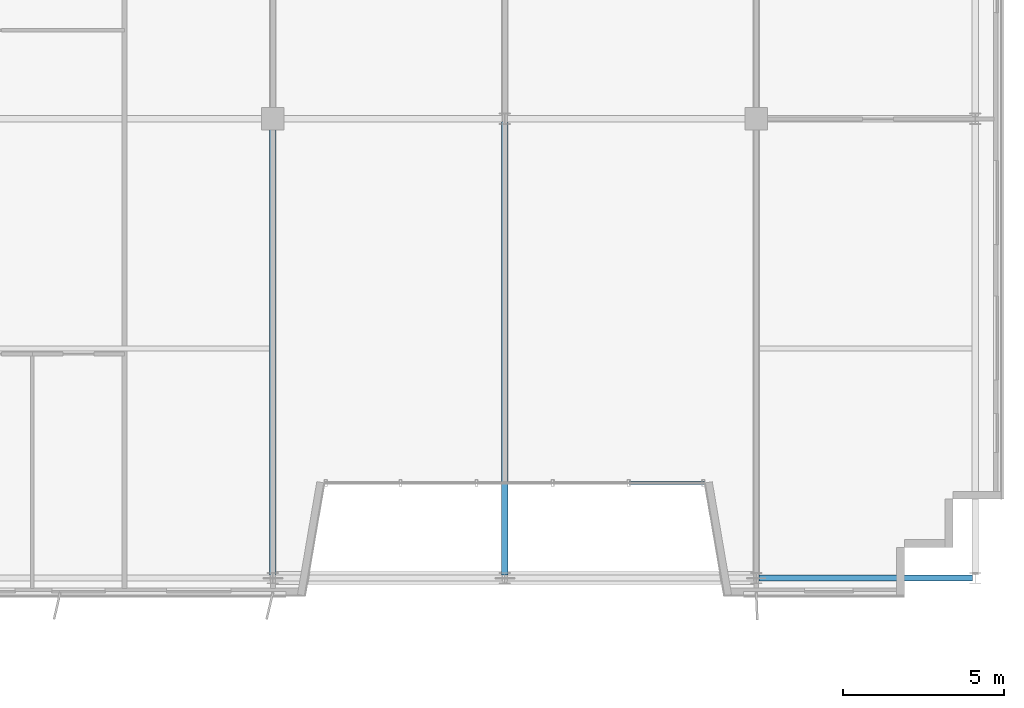
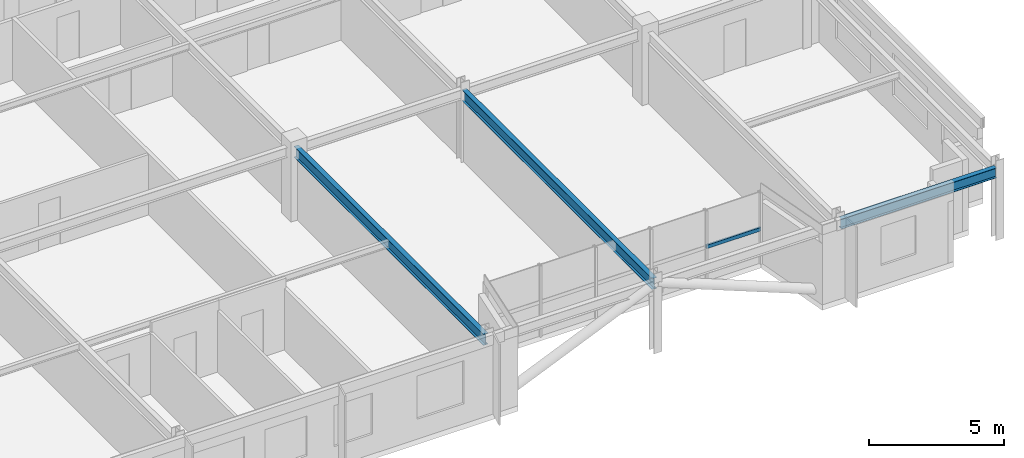
# One storey, part 7 of 27: 3 beams, 1 member, 1 element without a shape of its own.
"""IFC4 building model written with IfcOpenShell, lengths in metres."""

from ifc_helpers import new_model, si_unit, direction, frame, origin, origin_2d, place, context, subcontext, project, spatial, hollow_rectangle, i_section, extrude, source, transform, mapped, material, material_profile, profile_set, type_object, element, aggregate, save


model = new_model("IFC4")

# Units and contexts
model_context = context("Model", 3, precision=1e-05, world=origin(), true_north=direction((0.0, 1.0)))
body_context = subcontext(model_context, "Body", "Model", "MODEL_VIEW")
ifc_project = project(units=[si_unit("LENGTHUNIT", "METRE"), si_unit("AREAUNIT", "SQUARE_METRE"), si_unit("VOLUMEUNIT", "CUBIC_METRE"), si_unit("PLANEANGLEUNIT", "RADIAN"), si_unit("MASSUNIT", "GRAM", prefix="KILO")], contexts=[model_context])

# Site, building, storey
site_placement = place(None, origin())
site = spatial("IfcSite", under=ifc_project, at=site_placement, CompositionType="ELEMENT")
building_placement = place(site_placement, origin())
building = spatial("IfcBuilding", under=site, at=building_placement, Name="Trelvane Seafront Commons", CompositionType="ELEMENT")
storey_placement = place(building_placement, frame((0.0, 0.0, 237.300048828125)))
storey = spatial("IfcBuildingStorey", under=building, at=storey_placement, Name="L62", CompositionType="ELEMENT", Elevation=237.300048828125)

# Beams
ifc_material_1 = material(Name="Steel SM355 (S355)", Category="steel")
ifc_material_profile_1 = material_profile(ifc_material_1, i_section(OverallWidth=0.199951171875, OverallDepth=0.449951171875, WebThickness=0.009033203125, FlangeThickness=0.013916015625, at=origin_2d()), Name="H-450x200x9x14")
ifc_profile_set_1 = profile_set([ifc_material_profile_1], Name="Steel SM355 (S355)")
beam_type_1 = type_object("IfcBeamType", Name="STR-SPD-H450", PredefinedType="SPANDREL", material=ifc_profile_set_1)
shared_shape_1 = source(origin(), body_context, "Body", "SweptSolid", [
    extrude(i_section(OverallWidth=0.199951171875, OverallDepth=0.449951171875, WebThickness=0.009033203125, FlangeThickness=0.013916015625, at=origin_2d()), origin(), (0.0, 0.0, 1.0), 6.625),
])
beam_1_placement = place(storey_placement, frame((58.887451171875, 3.949951171875, 2.994873046875), z_axis=(1.0, 0.0, 0.0), x_axis=(0.0, 1.0, 0.0)))
element("IfcBeam", 1, at=beam_1_placement, inside=storey, type_object=beam_type_1, Name="L62 Primary Girder G-07", PredefinedType="SPANDREL", context=body_context, shape_type="MappedRepresentation", body=[
    mapped(shared_shape_1, transform((0.0, 0.0, 0.0), x_axis=(1.0, 0.0, 0.0), y_axis=(0.0, 1.0, 0.0), z_axis=(0.0, 0.0, 1.0), scale=1.0)),
])
ifc_material_profile_2 = material_profile(ifc_material_1, i_section(OverallWidth=0.199951171875, OverallDepth=0.5, WebThickness=0.010009765625, FlangeThickness=0.01611328125, at=origin_2d()), Name="H-500x200x10x16")
ifc_profile_set_2 = profile_set([ifc_material_profile_2], Name="Steel SM355 (S355)")
beam_type_2 = type_object("IfcBeamType", Name="STR-BM-H500", PredefinedType="BEAM", material=ifc_profile_set_2)
shared_shape_2 = source(origin(), body_context, "Body", "SweptSolid", [
    extrude(i_section(OverallWidth=0.199951171875, OverallDepth=0.5, WebThickness=0.010009765625, FlangeThickness=0.01611328125, at=origin_2d()), origin(), (0.0, 0.0, 1.0), 14.074951171875),
])
beam_2_placement = place(storey_placement, frame((51.0, 4.03759765625, 2.969970703125), z_axis=(0.0, 1.0, 0.0), x_axis=(-1.0, 0.0, 0.0)))
element("IfcBeam", 2, at=beam_2_placement, inside=storey, type_object=beam_type_2, Name="L62 Primary Girder G-44", PredefinedType="BEAM", context=body_context, shape_type="MappedRepresentation", body=[
    mapped(shared_shape_2, transform((0.0, 0.0, 0.0), x_axis=(1.0, 0.0, 0.0), y_axis=(0.0, 1.0, 0.0), z_axis=(0.0, 0.0, 1.0), scale=1.0)),
])
shared_shape_3 = source(origin(), body_context, "Body", "SweptSolid", [
    extrude(i_section(OverallWidth=0.199951171875, OverallDepth=0.5, WebThickness=0.010009765625, FlangeThickness=0.01611328125, at=origin_2d()), origin(), (0.0, 0.0, 1.0), 14.012451171875),
])
beam_3_placement = place(storey_placement, frame((43.800048828125, 4.03759765625, 2.969970703125), z_axis=(0.0, 1.0, 0.0), x_axis=(-1.0, 0.0, 0.0)))
element("IfcBeam", 3, at=beam_3_placement, inside=storey, type_object=beam_type_2, Name="L62 Primary Girder G-41", PredefinedType="BEAM", context=body_context, shape_type="MappedRepresentation", body=[
    mapped(shared_shape_3, transform((0.0, 0.0, 0.0), x_axis=(1.0, 0.0, 0.0), y_axis=(0.0, 1.0, 0.0), z_axis=(0.0, 0.0, 1.0), scale=1.0)),
])

# Curtain wall, member
ifc_material_2 = material(Name="Anodised pale-silver aluminium", Category="aluminium")
curtain_wall_type = type_object("IfcCurtainWallType", Name="ARCH-CW3-PORTAL", PredefinedType="NOTDEFINED", material=ifc_material_2)
curtain_wall_placement = place(storey_placement, origin())
curtain_wall = element("IfcCurtainWall", 4, at=curtain_wall_placement, inside=storey, type_object=curtain_wall_type, Name="CW-L62-VN-0107", PredefinedType="NOTDEFINED")
ifc_material_profile_3 = material_profile(ifc_material_2, hollow_rectangle(XDim=0.080078125, YDim=0.159912109375, WallThickness=0.00439453125, at=origin_2d()), Name="TRAN-80x160x4.5")
ifc_profile_set_3 = profile_set([ifc_material_profile_3], Name="Anodised pale-silver aluminium")
member_type = type_object("IfcMemberType", Name="ARCH-CW-TRAN-160", PredefinedType="USERDEFINED", material=ifc_profile_set_3)
shared_shape_4 = source(origin(), body_context, "Body", "SweptSolid", [
    extrude(hollow_rectangle(XDim=0.080078125, YDim=0.159912109375, WallThickness=0.00439453125, at=origin_2d()), origin(), (0.0, 0.0, 1.0), 2.3359375),
])
member_placement = place(storey_placement, frame((57.18798828125, 6.89990234375, 1.5458984375), z_axis=(-1.0, 0.0, 0.0), x_axis=(0.0, -1.0, 0.0)))
member = element("IfcMember", 5, at=member_placement, type_object=member_type, Name="CW-L62-VN-0107-T00", ObjectType="TRANSOM", PredefinedType="USERDEFINED", context=body_context, shape_type="MappedRepresentation", body=[
    mapped(shared_shape_4, transform((0.0, 0.0, 0.0), x_axis=(1.0, 0.0, 0.0), y_axis=(0.0, 1.0, 0.0), z_axis=(0.0, 0.0, 1.0), scale=1.0)),
])
aggregate(curtain_wall, [member])

save(model, "model.ifc")
